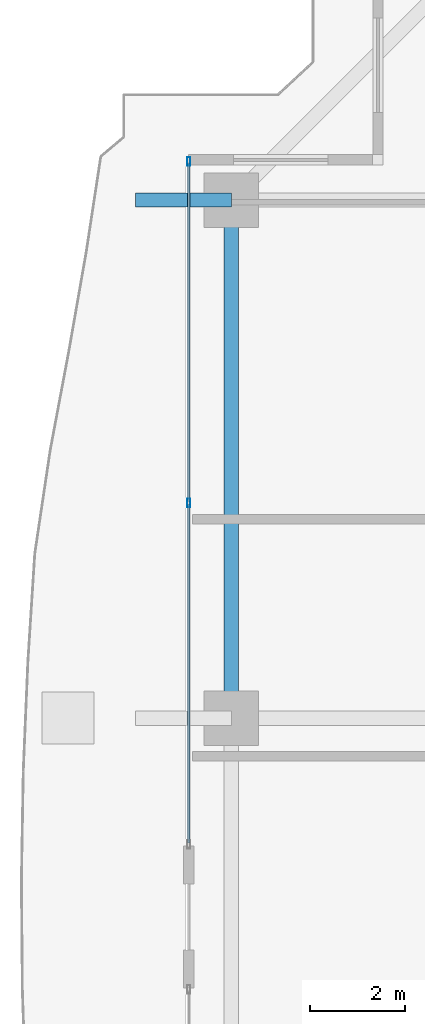
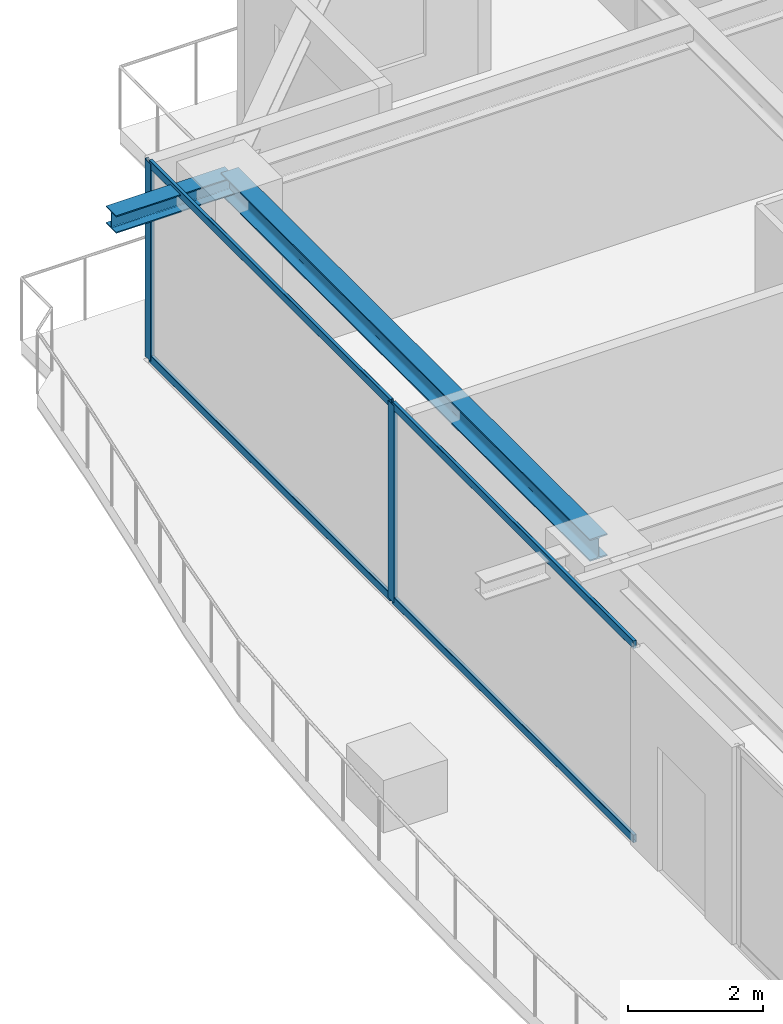
# One storey, part 17 of 36: 6 members, 2 beams, 1 element without a shape of its own.
"""IFC4 building model written with IfcOpenShell, lengths in metres."""

from ifc_helpers import new_model, si_unit, direction, frame, origin, origin_2d, place, context, subcontext, project, spatial, hollow_rectangle, i_section, extrude, source, transform, mapped, material, layer, layer_set, material_profile, profile_set, type_object, element, aggregate, save


model = new_model("IFC4")

# Units and contexts
model_context = context("Model", 3, precision=1e-05, world=origin(), true_north=direction((0.0, 1.0)))
body_context = subcontext(model_context, "Body", "Model", "MODEL_VIEW")
ifc_project = project(units=[si_unit("LENGTHUNIT", "METRE"), si_unit("AREAUNIT", "SQUARE_METRE"), si_unit("VOLUMEUNIT", "CUBIC_METRE"), si_unit("PLANEANGLEUNIT", "RADIAN"), si_unit("MASSUNIT", "GRAM", prefix="KILO")], contexts=[model_context])

# Site, building, storey
site_placement = place(None, origin())
site = spatial("IfcSite", under=ifc_project, at=site_placement, CompositionType="ELEMENT")
building_placement = place(site_placement, origin())
building = spatial("IfcBuilding", under=site, at=building_placement, Name="Serunith Strait Residences", CompositionType="ELEMENT")
storey_placement = place(building_placement, frame((0.0, 0.0, 272.050048828125)))
storey = spatial("IfcBuildingStorey", under=building, at=storey_placement, Name="L68", CompositionType="ELEMENT", Elevation=272.050048828125)

# Beams
ifc_material_1 = material(Name="Steel S355J2", Category="steel")
ifc_material_profile_1 = material_profile(ifc_material_1, i_section(OverallWidth=0.300048828125, OverallDepth=0.39990234375, WebThickness=0.013427734375, FlangeThickness=0.02392578125, FilletRadius=0.027099609375, at=origin_2d()), Name="HEB 400")
ifc_profile_set_1 = profile_set([ifc_material_profile_1], Name="Steel S355J2")
beam_type_1 = type_object("IfcBeamType", Name="BM-HEB400", PredefinedType="BEAM", material=ifc_profile_set_1)
shared_shape_1 = source(origin(), body_context, "Body", "SweptSolid", [
    extrude(i_section(OverallWidth=0.300048828125, OverallDepth=0.39990234375, WebThickness=0.013427734375, FlangeThickness=0.02392578125, FilletRadius=0.027099609375, at=origin_2d()), origin(), (0.0, 0.0, 1.0), 10.9501953125),
])
beam_1_placement = place(storey_placement, frame((8.300048828125, 40.35009765625, 3.386962890625), z_axis=(0.0, -1.0, 0.0), x_axis=(1.0, 0.0, 0.0)))
element("IfcBeam", 1, at=beam_1_placement, inside=storey, type_object=beam_type_1, Name="L68 Perimeter Ring Beam 13", PredefinedType="BEAM", context=body_context, shape_type="MappedRepresentation", body=[
    mapped(shared_shape_1, transform((0.0, 0.0, 0.0), scale=1.0)),
])
ifc_material_profile_2 = material_profile(ifc_material_1, i_section(OverallWidth=0.300048828125, OverallDepth=0.320068359375, WebThickness=0.011474609375, FlangeThickness=0.0205078125, FilletRadius=0.027099609375, at=origin_2d()), Name="HEB 320")
ifc_profile_set_2 = profile_set([ifc_material_profile_2], Name="Steel S355J2")
beam_type_2 = type_object("IfcBeamType", Name="BM-HEB320", PredefinedType="BEAM", material=ifc_profile_set_2)
shared_shape_2 = source(origin(), body_context, "Body", "SweptSolid", [
    extrude(i_section(OverallWidth=0.300048828125, OverallDepth=0.320068359375, WebThickness=0.011474609375, FlangeThickness=0.0205078125, FilletRadius=0.027099609375, at=origin_2d()), origin(), (0.0, 0.0, 1.0), 2.030029296875),
])
beam_2_placement = place(storey_placement, frame((8.300048828125, 40.35009765625, 3.39697265625), z_axis=(-1.0, 0.0, 0.0), x_axis=(0.0, -1.0, 0.0)))
element("IfcBeam", 2, at=beam_2_placement, inside=storey, type_object=beam_type_2, Name="L69 Cantilevered Balcony Rib TC-W4", PredefinedType="BEAM", context=body_context, shape_type="MappedRepresentation", body=[
    mapped(shared_shape_2, transform((0.0, 0.0, 0.0), scale=1.0)),
])

# Curtain wall, members
ifc_material_2 = material(Name="Pale-Champagne Anodised Aluminium", Category="aluminium")
ifc_layer = layer(ifc_material_2, 0.199951171875, Name="Pale-Champagne Anodised Aluminium")
ifc_layer_set = layer_set([ifc_layer], Name="Pale-Champagne Anodised Aluminium")
curtain_wall_type = type_object("IfcCurtainWallType", Name="CW-SYS4", PredefinedType="NOTDEFINED", material=ifc_layer_set)
curtain_wall_placement = place(storey_placement, origin())
curtain_wall = element("IfcCurtainWall", 3, at=curtain_wall_placement, inside=storey, type_object=curtain_wall_type, Name="L68 W Unitised Fritted Curtain Wall", PredefinedType="NOTDEFINED")
ifc_material_profile_3 = material_profile(ifc_material_2, hollow_rectangle(XDim=0.06494140625, YDim=0.179931640625, WallThickness=0.00341796875, InnerFilletRadius=0.00537109375, OuterFilletRadius=0.0087890625, at=origin_2d()), Name="ALU 180x65x3.5")
ifc_profile_set_3 = profile_set([ifc_material_profile_3], Name="Pale-Champagne Anodised Aluminium")
member_type_1 = type_object("IfcMemberType", Name="CW-SYS4-MULL", PredefinedType="MULLION", material=ifc_profile_set_3)
shared_shape_3 = source(origin(), body_context, "Body", "SweptSolid", [
    extrude(hollow_rectangle(XDim=0.06494140625, YDim=0.179931640625, WallThickness=0.00341796875, InnerFilletRadius=0.00537109375, OuterFilletRadius=0.0087890625, at=origin_2d()), origin(), (0.0, 0.0, 1.0), 3.574951171875),
])
member_1_placement = place(storey_placement, frame((7.39990234375, 41.16748046875, 0.0), z_axis=(0.0, 0.0, 1.0), x_axis=(1.0, 0.0, 0.0)))
member_1 = element("IfcMember", 4, at=member_1_placement, type_object=member_type_1, Name="CW-4 mullion 1", PredefinedType="MULLION", context=body_context, shape_type="MappedRepresentation", body=[
    mapped(shared_shape_3, transform((0.0, 0.0, 0.0), scale=1.0)),
])
member_2_placement = place(storey_placement, frame((7.39990234375, 33.949951171875, 0.0), z_axis=(0.0, 0.0, 1.0), x_axis=(1.0, 0.0, 0.0)))
member_2 = element("IfcMember", 5, at=member_2_placement, type_object=member_type_1, Name="CW-4 mullion 2", PredefinedType="MULLION", context=body_context, shape_type="MappedRepresentation", body=[
    mapped(shared_shape_3, transform((0.0, 0.0, 0.0), scale=1.0)),
])
ifc_material_profile_4 = material_profile(ifc_material_2, hollow_rectangle(XDim=0.06005859375, YDim=0.139892578125, WallThickness=0.00341796875, InnerFilletRadius=0.00537109375, OuterFilletRadius=0.0087890625, at=origin_2d()), Name="ALU 140x60x3.5")
ifc_profile_set_4 = profile_set([ifc_material_profile_4], Name="Pale-Champagne Anodised Aluminium")
member_type_2 = type_object("IfcMemberType", Name="CW-SYS4-TRAN", PredefinedType="USERDEFINED", material=ifc_profile_set_4)
shared_shape_4 = source(origin(), body_context, "Body", "SweptSolid", [
    extrude(hollow_rectangle(XDim=0.06005859375, YDim=0.139892578125, WallThickness=0.00341796875, InnerFilletRadius=0.00537109375, OuterFilletRadius=0.0087890625, at=origin_2d()), origin(), (0.0, 0.0, 1.0), 7.152587890625),
])
member_3_placement = place(storey_placement, frame((7.39990234375, 41.135009765625, 0.030029296875), z_axis=(0.0, -1.0, 0.0), x_axis=(1.0, 0.0, 0.0)))
member_3 = element("IfcMember", 6, at=member_3_placement, type_object=member_type_2, Name="CW-4 transom 1.1", ObjectType="TRANSOM", PredefinedType="USERDEFINED", context=body_context, shape_type="MappedRepresentation", body=[
    mapped(shared_shape_4, transform((0.0, 0.0, 0.0), scale=1.0)),
])
member_4_placement = place(storey_placement, frame((7.39990234375, 41.135009765625, 3.544921875), z_axis=(0.0, -1.0, 0.0), x_axis=(1.0, 0.0, 0.0)))
member_4 = element("IfcMember", 7, at=member_4_placement, type_object=member_type_2, Name="CW-4 transom 1.2", ObjectType="TRANSOM", PredefinedType="USERDEFINED", context=body_context, shape_type="MappedRepresentation", body=[
    mapped(shared_shape_4, transform((0.0, 0.0, 0.0), scale=1.0)),
])
member_5_placement = place(storey_placement, frame((7.39990234375, 33.91748046875, 0.030029296875), z_axis=(0.0, -1.0, 0.0), x_axis=(1.0, 0.0, 0.0)))
member_5 = element("IfcMember", 8, at=member_5_placement, type_object=member_type_2, Name="CW-4 transom 2.1", ObjectType="TRANSOM", PredefinedType="USERDEFINED", context=body_context, shape_type="MappedRepresentation", body=[
    mapped(shared_shape_4, transform((0.0, 0.0, 0.0), scale=1.0)),
])
member_6_placement = place(storey_placement, frame((7.39990234375, 33.91748046875, 3.544921875), z_axis=(0.0, -1.0, 0.0), x_axis=(1.0, 0.0, 0.0)))
member_6 = element("IfcMember", 9, at=member_6_placement, type_object=member_type_2, Name="CW-4 transom 2.2", ObjectType="TRANSOM", PredefinedType="USERDEFINED", context=body_context, shape_type="MappedRepresentation", body=[
    mapped(shared_shape_4, transform((0.0, 0.0, 0.0), scale=1.0)),
])
aggregate(curtain_wall, [member_1, member_2, member_3, member_4, member_5, member_6])

save(model, "model.ifc")
